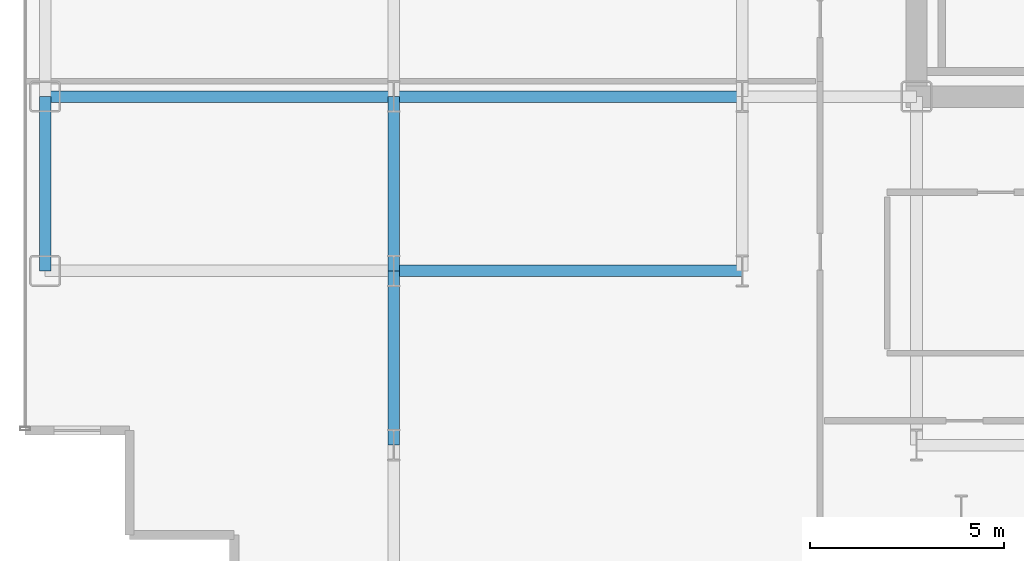
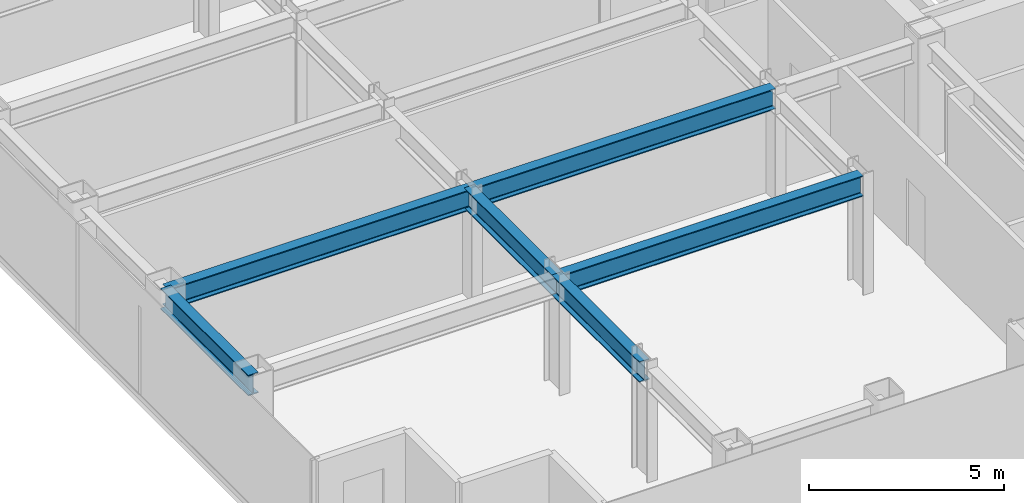
# One storey, part 4 of 22: 6 beams.
"""IFC4 building model written with IfcOpenShell, lengths in metres."""

from ifc_helpers import new_model, si_unit, direction, frame, origin, origin_2d, place, context, subcontext, project, spatial, i_section, extrude, source, transform, mapped, material, material_profile, profile_set, type_object, element, save


model = new_model("IFC4")

# Units and contexts
model_context = context("Model", 3, precision=1e-05, world=origin(), true_north=direction((0.0, 1.0)))
body_context = subcontext(model_context, "Body", "Model", "MODEL_VIEW")
ifc_project = project(units=[si_unit("LENGTHUNIT", "METRE"), si_unit("AREAUNIT", "SQUARE_METRE"), si_unit("VOLUMEUNIT", "CUBIC_METRE"), si_unit("PLANEANGLEUNIT", "RADIAN"), si_unit("MASSUNIT", "GRAM", prefix="KILO")], contexts=[model_context])

# Site, building, storey
site_placement = place(None, origin())
site = spatial("IfcSite", under=ifc_project, at=site_placement, CompositionType="ELEMENT")
building_placement = place(site_placement, origin())
building = spatial("IfcBuilding", under=site, at=building_placement, Name="Nefas-Gora Pilgrimage Tower", CompositionType="ELEMENT")
storey_placement = place(building_placement, frame((0.0, 0.0, 186.800048828125)))
storey = spatial("IfcBuildingStorey", under=building, at=storey_placement, Name="L46", CompositionType="ELEMENT", Elevation=186.800048828125)

# Beams
ifc_material = material(Name="Steel S355", Category="steel")
ifc_material_profile_1 = material_profile(ifc_material, i_section(OverallWidth=0.300048828125, OverallDepth=0.64990234375, WebThickness=0.01611328125, FlangeThickness=0.031005859375, FilletRadius=0.027099609375, at=origin_2d()), Name="HEB 650")
ifc_profile_set_1 = profile_set([ifc_material_profile_1], Name="Steel S355")
beam_type_1 = type_object("IfcBeamType", Name="BM-SPN-HEB500", PredefinedType="SPANDREL", material=ifc_profile_set_1)
shared_shape_1 = source(origin(), body_context, "Body", "SweptSolid", [
    extrude(i_section(OverallWidth=0.300048828125, OverallDepth=0.64990234375, WebThickness=0.01611328125, FlangeThickness=0.031005859375, FilletRadius=0.027099609375, at=origin_2d()), origin(), (0.0, 0.0, 1.0), 4.5),
])
beam_placement = place(storey_placement, frame((-33.75, -13.5, 3.224853515625), z_axis=(0.0, 1.0, 0.0), x_axis=(-1.0, 0.0, 0.0)))
element("IfcBeam", 1, at=beam_placement, inside=storey, type_object=beam_type_1, Name="L46 SP-02 beam", PredefinedType="SPANDREL", context=body_context, shape_type="MappedRepresentation", body=[
    mapped(shared_shape_1, transform((0.0, 0.0, 0.0), x_axis=(1.0, 0.0, 0.0), y_axis=(0.0, 1.0, 0.0), z_axis=(0.0, 0.0, 1.0), scale=1.0)),
])
ifc_material_profile_2 = material_profile(ifc_material, i_section(OverallWidth=0.300048828125, OverallDepth=0.64990234375, WebThickness=0.01611328125, FlangeThickness=0.031005859375, FilletRadius=0.027099609375, at=origin_2d()), Name="HEB 650")
ifc_profile_set_2 = profile_set([ifc_material_profile_2], Name="Steel S355")
beam_type_2 = type_object("IfcBeamType", Name="BM-GIR-HEB650", PredefinedType="BEAM", material=ifc_profile_set_2)
shared_shape_2 = source(origin(), body_context, "Body", "SweptSolid", [
    extrude(i_section(OverallWidth=0.300048828125, OverallDepth=0.64990234375, WebThickness=0.01611328125, FlangeThickness=0.031005859375, FilletRadius=0.027099609375, at=origin_2d()), origin(), (0.0, 0.0, 1.0), 9.0),
])
for number, where, z_axis, x_axis, name in (
    (2, (-33.75, -9.0, 3.224853515625), (1.0, 0.0, 0.0), (0.0, 1.0, 0.0), "L46 G-03 beam"),
    (3, (-24.75, -13.5, 3.224853515625), (1.0, 0.0, 0.0), (0.0, 1.0, 0.0), "L46 G-03 beam"),
    (4, (-24.75, -9.0, 3.224853515625), (1.0, 0.0, 0.0), (0.0, 1.0, 0.0), "L46 G-03 beam"),
):
    element("IfcBeam", number, at=place(storey_placement, frame(where, z_axis=z_axis, x_axis=x_axis)), inside=storey, type_object=beam_type_2, Name=name, PredefinedType="BEAM", context=body_context, shape_type="MappedRepresentation", body=[
        mapped(shared_shape_2, transform((0.0, 0.0, 0.0), x_axis=(1.0, 0.0, 0.0), y_axis=(0.0, 1.0, 0.0), z_axis=(0.0, 0.0, 1.0), scale=1.0)),
    ])
shared_shape_3 = source(origin(), body_context, "Body", "SweptSolid", [
    extrude(i_section(OverallWidth=0.300048828125, OverallDepth=0.64990234375, WebThickness=0.01611328125, FlangeThickness=0.031005859375, FilletRadius=0.027099609375, at=origin_2d()), origin(), (0.0, 0.0, 1.0), 4.5),
])
for number, where, z_axis, x_axis, name in (
    (5, (-24.75, -18.0, 3.224853515625), (0.0, 1.0, 0.0), (-1.0, 0.0, 0.0), "L46 G-03 beam"),
    (6, (-24.75, -13.5, 3.224853515625), (0.0, 1.0, 0.0), (-1.0, 0.0, 0.0), "L46 G-03 beam"),
):
    element("IfcBeam", number, at=place(storey_placement, frame(where, z_axis=z_axis, x_axis=x_axis)), inside=storey, type_object=beam_type_2, Name=name, PredefinedType="BEAM", context=body_context, shape_type="MappedRepresentation", body=[
        mapped(shared_shape_3, transform((0.0, 0.0, 0.0), x_axis=(1.0, 0.0, 0.0), y_axis=(0.0, 1.0, 0.0), z_axis=(0.0, 0.0, 1.0), scale=1.0)),
    ])

save(model, "model.ifc")
